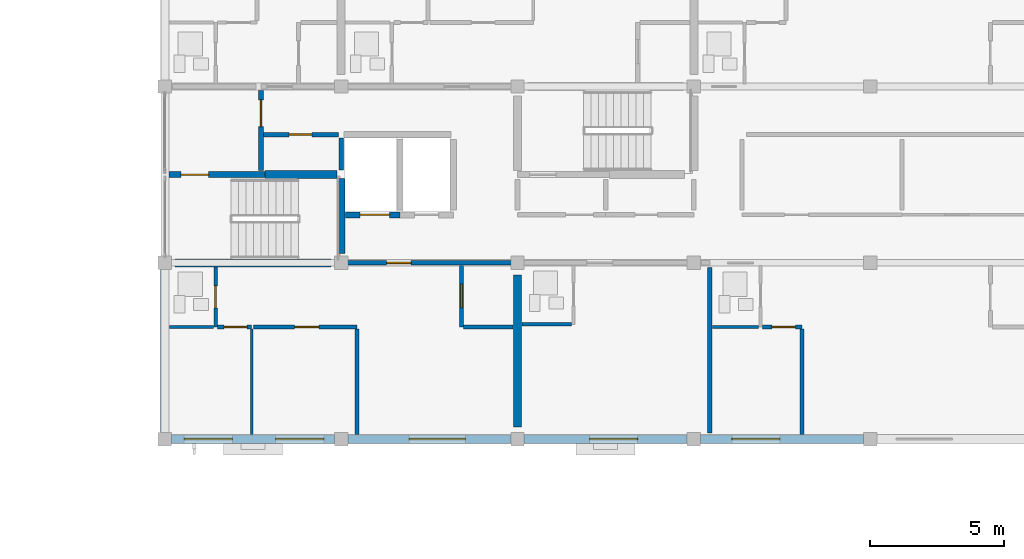
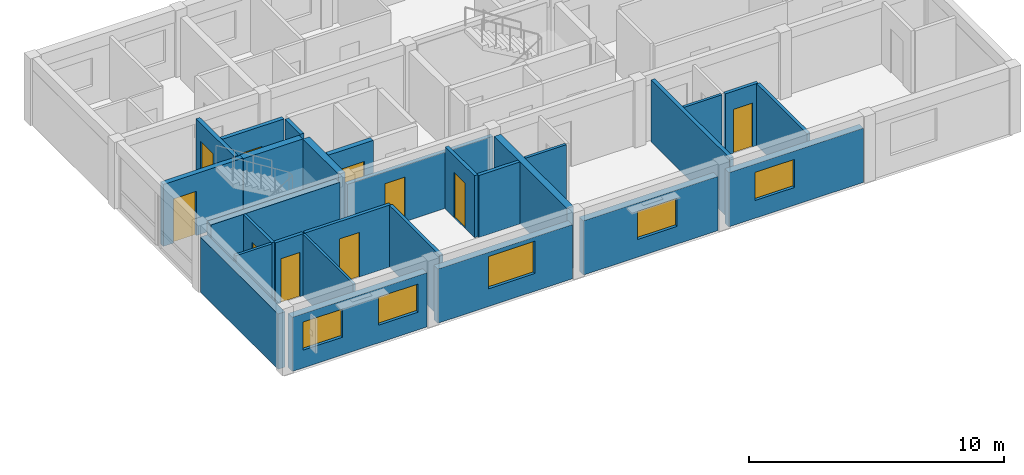
# One storey, part 37 of 53: 28 walls, 10 doors, 5 windows, 15 openings.
"""IFC4 building model written with IfcOpenShell, lengths in metres."""

from ifc_helpers import new_model, si_unit, direction, frame, frame_2d, origin, place, context, subcontext, project, spatial, rectangle, extrude, material, layer, layer_set, type_object, element, fill, save


model = new_model("IFC4")

# Units and contexts
model_context = context("Model", 3, precision=1e-05, world=origin(), true_north=direction((0.0, 1.0)))
body_context = subcontext(model_context, "Body", "Model", "MODEL_VIEW")
ifc_project = project(units=[si_unit("LENGTHUNIT", "METRE"), si_unit("AREAUNIT", "SQUARE_METRE"), si_unit("VOLUMEUNIT", "CUBIC_METRE"), si_unit("PLANEANGLEUNIT", "RADIAN"), si_unit("MASSUNIT", "GRAM", prefix="KILO")], contexts=[model_context])

# Site, building, storey
site_placement = place(None, origin())
site = spatial("IfcSite", under=ifc_project, at=site_placement, CompositionType="ELEMENT")
building_placement = place(site_placement, origin())
building = spatial("IfcBuilding", under=site, at=building_placement, Name="Kernevlak Ridge Housing Community", CompositionType="ELEMENT")
storey_placement = place(building_placement, frame((0.0, 0.0, 24.39990234375)))
storey = spatial("IfcBuildingStorey", under=building, at=storey_placement, Name="L07", CompositionType="ELEMENT", Elevation=24.39990234375)

# Wall, openings, windows
ifc_material_1 = material(Name="Concrete block masonry M10", Category="masonry")
ifc_layer_1 = layer(ifc_material_1, 0.320068359375, Name="Concrete block masonry M10")
ifc_layer_set_1 = layer_set([ifc_layer_1], Name="Concrete block masonry M10")
wall_type_1 = type_object("IfcWallType", Name="EW-02", PredefinedType="STANDARD", material=ifc_layer_set_1)
wall_1_placement = place(storey_placement, frame((119.64990234375, 82.60009765625, 0.0), z_axis=(0.0, 0.0, 1.0), x_axis=(1.0, 0.0, 0.0)))
wall_1 = element("IfcWall", 1, at=wall_1_placement, inside=storey, type_object=wall_type_1, Name="Exterior wall EW-02 L07 403", PredefinedType="STANDARD", context=body_context, shape_type="SweptSolid", body=[
    extrude(rectangle(XDim=6.10009765625, YDim=0.320068359375, at=frame_2d((3.050048828125, 0.0))), origin(), (0.0, 0.0, 1.0), 2.60009765625),
])
opening_1_placement = place(wall_1_placement, frame((0.47509765625, 0.0, 0.85009765625)))
opening_1 = element("IfcOpeningElement", 2, at=opening_1_placement, cuts=wall_1, Name="Opening WT-03", PredefinedType="OPENING", context=body_context, shape_type="SweptSolid", body=[
    extrude(rectangle(XDim=1.800048828125, YDim=1.35009765625, at=frame_2d((0.89990234375, 0.675048828125))), frame((0.0, 0.169921875, 0.0), z_axis=(0.0, -1.0, 0.0), x_axis=(1.0, 0.0, 0.0)), (0.0, 0.0, 1.0), 0.340087890625),
])
opening_2_placement = place(wall_1_placement, frame((3.89990234375, 0.0, 0.85009765625)))
opening_2 = element("IfcOpeningElement", 3, at=opening_2_placement, cuts=wall_1, Name="Opening WT-03", PredefinedType="OPENING", context=body_context, shape_type="SweptSolid", body=[
    extrude(rectangle(XDim=1.800048828125, YDim=1.35009765625, at=frame_2d((0.89990234375, 0.675048828125))), frame((0.0, 0.169921875, 0.0), z_axis=(0.0, -1.0, 0.0), x_axis=(1.0, 0.0, 0.0)), (0.0, 0.0, 1.0), 0.340087890625),
])
ifc_material_2 = material(Name="Aluminium EN AW-6060 anodised and laminated glass", Category="aluminium")
window_type_1 = type_object("IfcWindowType", Name="WT-03", PartitioningType="SINGLE_PANEL", PredefinedType="WINDOW", material=ifc_material_2)
window_1_placement = place(opening_1_placement, origin())
window_1 = element("IfcWindow", 4, at=window_1_placement, inside=storey, type_object=window_type_1, Name="Window WT-03 L07 309", OverallHeight=1.35009765625, OverallWidth=1.800048828125, PartitioningType="SINGLE_PANEL", PredefinedType="WINDOW", context=body_context, shape_type="SweptSolid", body=[
    extrude(rectangle(XDim=1.800048828125, YDim=1.35009765625, at=frame_2d((0.89990234375, 0.675048828125))), frame((0.0, 0.030029296875, 0.0), z_axis=(0.0, -1.0, 0.0), x_axis=(1.0, 0.0, 0.0)), (0.0, 0.0, 1.0), 0.06005859375),
])
fill(opening_1, window_1)
window_2_placement = place(opening_2_placement, origin())
window_2 = element("IfcWindow", 5, at=window_2_placement, inside=storey, type_object=window_type_1, Name="Window WT-03 L07 310", OverallHeight=1.35009765625, OverallWidth=1.800048828125, PartitioningType="SINGLE_PANEL", PredefinedType="WINDOW", context=body_context, shape_type="SweptSolid", body=[
    extrude(rectangle(XDim=1.800048828125, YDim=1.35009765625, at=frame_2d((0.89990234375, 0.675048828125))), frame((0.0, 0.030029296875, 0.0), z_axis=(0.0, -1.0, 0.0), x_axis=(1.0, 0.0, 0.0)), (0.0, 0.0, 1.0), 0.06005859375),
])
fill(opening_2, window_2)

# Wall, opening, window
wall_2_placement = place(storey_placement, frame((126.25, 82.60009765625, 0.0), z_axis=(0.0, 0.0, 1.0), x_axis=(1.0, 0.0, 0.0)))
wall_2 = element("IfcWall", 6, at=wall_2_placement, inside=storey, type_object=wall_type_1, Name="Exterior wall EW-02 L07 404", PredefinedType="STANDARD", context=body_context, shape_type="SweptSolid", body=[
    extrude(rectangle(XDim=6.10009765625, YDim=0.320068359375, at=frame_2d((3.050048828125, 0.0))), origin(), (0.0, 0.0, 1.0), 2.60009765625),
])
opening_3_placement = place(wall_2_placement, frame((2.2958984375, 0.0, 0.85009765625)))
opening_3 = element("IfcOpeningElement", 7, at=opening_3_placement, cuts=wall_2, Name="Opening WT-05", PredefinedType="OPENING", context=body_context, shape_type="SweptSolid", body=[
    extrude(rectangle(XDim=2.10009765625, YDim=1.550048828125, at=frame_2d((1.050048828125, 0.77490234375))), frame((0.0, 0.169921875, 0.0), z_axis=(0.0, -1.0, 0.0), x_axis=(1.0, 0.0, 0.0)), (0.0, 0.0, 1.0), 0.340087890625),
])
window_type_2 = type_object("IfcWindowType", Name="WT-05", PartitioningType="SINGLE_PANEL", PredefinedType="WINDOW", material=ifc_material_2)
window_3_placement = place(opening_3_placement, origin())
window_3 = element("IfcWindow", 8, at=window_3_placement, inside=storey, type_object=window_type_2, Name="Window WT-05 L07 311", OverallHeight=1.550048828125, OverallWidth=2.10009765625, PartitioningType="SINGLE_PANEL", PredefinedType="WINDOW", context=body_context, shape_type="SweptSolid", body=[
    extrude(rectangle(XDim=2.10009765625, YDim=1.550048828125, at=frame_2d((1.050048828125, 0.77490234375))), frame((0.0, 0.030029296875, 0.0), z_axis=(0.0, -1.0, 0.0), x_axis=(1.0, 0.0, 0.0)), (0.0, 0.0, 1.0), 0.06005859375),
])
fill(opening_3, window_3)

wall_3_placement = place(storey_placement, frame((132.85009765625, 82.60009765625, 0.0), z_axis=(0.0, 0.0, 1.0), x_axis=(1.0, 0.0, 0.0)))
wall_3 = element("IfcWall", 9, at=wall_3_placement, inside=storey, type_object=wall_type_1, Name="Exterior wall EW-02 L07 405", PredefinedType="STANDARD", context=body_context, shape_type="SweptSolid", body=[
    extrude(rectangle(XDim=6.099853515625, YDim=0.320068359375, at=frame_2d((3.0498046875, 0.0))), origin(), (0.0, 0.0, 1.0), 2.60009765625),
])
opening_4_placement = place(wall_3_placement, frame((2.449951171875, 0.0, 0.85009765625)))
opening_4 = element("IfcOpeningElement", 10, at=opening_4_placement, cuts=wall_3, Name="Opening WT-03", PredefinedType="OPENING", context=body_context, shape_type="SweptSolid", body=[
    extrude(rectangle(XDim=1.800048828125, YDim=1.35009765625, at=frame_2d((0.89990234375, 0.675048828125))), frame((0.0, 0.169921875, 0.0), z_axis=(0.0, -1.0, 0.0), x_axis=(1.0, 0.0, 0.0)), (0.0, 0.0, 1.0), 0.340087890625),
])
window_4_placement = place(opening_4_placement, origin())
window_4 = element("IfcWindow", 11, at=window_4_placement, inside=storey, type_object=window_type_1, Name="Window WT-03 L07 312", OverallHeight=1.35009765625, OverallWidth=1.800048828125, PartitioningType="SINGLE_PANEL", PredefinedType="WINDOW", context=body_context, shape_type="SweptSolid", body=[
    extrude(rectangle(XDim=1.800048828125, YDim=1.35009765625, at=frame_2d((0.89990234375, 0.675048828125))), frame((0.0, 0.030029296875, 0.0), z_axis=(0.0, -1.0, 0.0), x_axis=(1.0, 0.0, 0.0)), (0.0, 0.0, 1.0), 0.06005859375),
])
fill(opening_4, window_4)

wall_4_placement = place(storey_placement, frame((139.449951171875, 82.60009765625, 0.0), z_axis=(0.0, 0.0, 1.0), x_axis=(1.0, 0.0, 0.0)))
wall_4 = element("IfcWall", 12, at=wall_4_placement, inside=storey, type_object=wall_type_1, Name="Exterior wall EW-02 L07 406", PredefinedType="STANDARD", context=body_context, shape_type="SweptSolid", body=[
    extrude(rectangle(XDim=6.10009765625, YDim=0.320068359375, at=frame_2d((3.050048828125, 0.0))), origin(), (0.0, 0.0, 1.0), 2.60009765625),
])
opening_5_placement = place(wall_4_placement, frame((1.175048828125, 0.0, 0.85009765625)))
opening_5 = element("IfcOpeningElement", 13, at=opening_5_placement, cuts=wall_4, Name="Opening WT-03", PredefinedType="OPENING", context=body_context, shape_type="SweptSolid", body=[
    extrude(rectangle(XDim=1.800048828125, YDim=1.35009765625, at=frame_2d((0.89990234375, 0.675048828125))), frame((0.0, 0.169921875, 0.0), z_axis=(0.0, -1.0, 0.0), x_axis=(1.0, 0.0, 0.0)), (0.0, 0.0, 1.0), 0.340087890625),
])
window_5_placement = place(opening_5_placement, origin())
window_5 = element("IfcWindow", 14, at=window_5_placement, inside=storey, type_object=window_type_1, Name="Window WT-03 L07 313", OverallHeight=1.35009765625, OverallWidth=1.800048828125, PartitioningType="SINGLE_PANEL", PredefinedType="WINDOW", context=body_context, shape_type="SweptSolid", body=[
    extrude(rectangle(XDim=1.800048828125, YDim=1.35009765625, at=frame_2d((0.89990234375, 0.675048828125))), frame((0.0, 0.030029296875, 0.0), z_axis=(0.0, -1.0, 0.0), x_axis=(1.0, 0.0, 0.0)), (0.0, 0.0, 1.0), 0.06005859375),
])
fill(opening_5, window_5)

# Wall
wall_5_placement = place(storey_placement, frame((119.39990234375, 82.85009765625, 0.0), z_axis=(0.0, 0.0, 1.0), x_axis=(0.0, 1.0, 0.0)))
element("IfcWall", 15, at=wall_5_placement, inside=storey, type_object=wall_type_1, Name="Exterior wall EW-02 L07 415", PredefinedType="STANDARD", context=body_context, shape_type="SweptSolid", body=[
    extrude(rectangle(XDim=6.099853515625, YDim=0.320068359375, at=frame_2d((3.0498046875, 0.0))), origin(), (0.0, 0.0, 1.0), 2.650146484375),
])

# Wall, opening, door
ifc_material_3 = material(Name="Concrete C35/45", Category="concrete")
ifc_layer_2 = layer(ifc_material_3, 0.22509765625, Name="Concrete C35/45")
ifc_layer_set_2 = layer_set([ifc_layer_2], Name="Concrete C35/45")
wall_type_2 = type_object("IfcWallType", Name="PW-01", PredefinedType="STANDARD", material=ifc_layer_set_2)
wall_6_placement = place(storey_placement, frame((119.550048828125, 92.5, 0.0), z_axis=(0.0, 0.0, 1.0), x_axis=(1.0, 0.0, 0.0)))
wall_6 = element("IfcWall", 16, at=wall_6_placement, inside=storey, type_object=wall_type_2, Name="Interior wall PW-01 WAL-INT-L07-1574", PredefinedType="STANDARD", context=body_context, shape_type="SweptSolid", body=[
    extrude(rectangle(XDim=3.599853515625, YDim=0.22509765625, at=frame_2d((1.7998046875, 0.0))), origin(), (0.0, 0.0, 1.0), 2.97021484375),
])
opening_6_placement = place(wall_6_placement, frame((0.449951171875, 0.0, 0.0)))
opening_6 = element("IfcOpeningElement", 17, at=opening_6_placement, cuts=wall_6, Name="Opening D798", PredefinedType="OPENING", context=body_context, shape_type="SweptSolid", body=[
    extrude(rectangle(XDim=1.0400390625, YDim=2.1201171875, at=frame_2d((0.52001953125, 1.06005859375))), frame((0.0, 0.12255859375, 0.0), z_axis=(0.0, -1.0, 0.0), x_axis=(1.0, 0.0, 0.0)), (0.0, 0.0, 1.0), 0.2451171875),
])
ifc_material_4 = material(Name="Fire-rated sheet steel leaf", Category="steel")
door_type_1 = type_object("IfcDoorType", Name="DT-16", OperationType="NOTDEFINED", PredefinedType="DOOR", material=ifc_material_4)
door_1_placement = place(opening_6_placement, origin())
door_1 = element("IfcDoor", 18, at=door_1_placement, inside=storey, type_object=door_type_1, Name="Block B Stair 1 fire door D798", OperationType="SINGLE_SWING_RIGHT", OverallHeight=2.1201171875, OverallWidth=1.0400390625, PredefinedType="DOOR", context=body_context, shape_type="SweptSolid", body=[
    extrude(rectangle(XDim=1.0400390625, YDim=2.1201171875, at=frame_2d((0.52001953125, 1.06005859375))), frame((0.0, 0.02490234375, 0.0), z_axis=(0.0, -1.0, 0.0), x_axis=(1.0, 0.0, 0.0)), (0.0, 0.0, 1.0), 0.050048828125),
])
fill(opening_6, door_1)

wall_7_placement = place(storey_placement, frame((126.159912109375, 91.0, 0.0), z_axis=(0.0, 0.0, 1.0), x_axis=(1.0, 0.0, 0.0)))
wall_7 = element("IfcWall", 19, at=wall_7_placement, inside=storey, type_object=wall_type_2, Name="Interior wall PW-01 WAL-INT-L07-1578", PredefinedType="STANDARD", context=body_context, shape_type="SweptSolid", body=[
    extrude(rectangle(XDim=2.0400390625, YDim=0.22509765625, at=frame_2d((1.02001953125, 0.0))), origin(), (0.0, 0.0, 1.0), 2.97021484375),
])
opening_7_placement = place(wall_7_placement, frame((0.550048828125, 0.0, 0.0)))
opening_7 = element("IfcOpeningElement", 20, at=opening_7_placement, cuts=wall_7, Name="Opening LD44", PredefinedType="OPENING", context=body_context, shape_type="SweptSolid", body=[
    extrude(rectangle(XDim=1.10009765625, YDim=2.10009765625, at=frame_2d((0.550048828125, 1.050048828125))), frame((0.0, 0.12255859375, 0.0), z_axis=(0.0, -1.0, 0.0), x_axis=(1.0, 0.0, 0.0)), (0.0, 0.0, 1.0), 0.2451171875),
])
ifc_material_5 = material(Name="Stainless steel EN 1.4401", Category="steel")
door_type_2 = type_object("IfcDoorType", Name="DT-LD1", OperationType="DOUBLE_DOOR_SLIDING", PredefinedType="DOOR", material=ifc_material_5)
door_2_placement = place(opening_7_placement, origin())
door_2 = element("IfcDoor", 21, at=door_2_placement, inside=storey, type_object=door_type_2, Name="Lift LF-B1 landing door LD44", OperationType="DOUBLE_DOOR_SLIDING", OverallHeight=2.10009765625, OverallWidth=1.10009765625, PredefinedType="DOOR", context=body_context, shape_type="SweptSolid", body=[
    extrude(rectangle(XDim=1.10009765625, YDim=2.10009765625, at=frame_2d((0.550048828125, 1.050048828125))), frame((0.0, 0.02490234375, 0.0), z_axis=(0.0, -1.0, 0.0), x_axis=(1.0, 0.0, 0.0)), (0.0, 0.0, 1.0), 0.050048828125),
])
fill(opening_7, door_2)

ifc_layer_3 = layer(ifc_material_1, 0.175048828125, Name="Concrete block masonry M10")
ifc_layer_set_3 = layer_set([ifc_layer_3], Name="Concrete block masonry M10")
wall_type_3 = type_object("IfcWallType", Name="PW-02", PredefinedType="PARTITIONING", material=ifc_layer_set_3)
wall_8_placement = place(storey_placement, frame((123.0, 92.64990234375, 0.0), z_axis=(0.0, 0.0, 1.0), x_axis=(0.0, 1.0, 0.0)))
wall_8 = element("IfcWall", 22, at=wall_8_placement, inside=storey, type_object=wall_type_3, Name="Interior wall PW-02 WAL-INT-L07-1575", PredefinedType="PARTITIONING", context=body_context, shape_type="SweptSolid", body=[
    extrude(rectangle(XDim=3.0, YDim=0.175048828125, at=frame_2d((1.5, 0.0))), origin(), (0.0, 0.0, 1.0), 2.97021484375),
])
opening_8_placement = place(wall_8_placement, frame((1.64990234375, 0.0, 0.0)))
opening_8 = element("IfcOpeningElement", 23, at=opening_8_placement, cuts=wall_8, Name="Opening D799", PredefinedType="OPENING", context=body_context, shape_type="SweptSolid", body=[
    extrude(rectangle(XDim=1.0, YDim=2.10009765625, at=frame_2d((0.5, 1.050048828125))), frame((0.0, 0.097412109375, 0.0), z_axis=(0.0, -1.0, 0.0), x_axis=(1.0, 0.0, 0.0)), (0.0, 0.0, 1.0), 0.195068359375),
])
door_type_3 = type_object("IfcDoorType", Name="DT-05", OperationType="NOTDEFINED", PredefinedType="DOOR", material=ifc_material_4)
door_3_placement = place(opening_8_placement, origin())
door_3 = element("IfcDoor", 24, at=door_3_placement, inside=storey, type_object=door_type_3, Name="Block B Firefighting lobby 1 door D799", OperationType="SINGLE_SWING_LEFT", OverallHeight=2.10009765625, OverallWidth=1.0, PredefinedType="DOOR", context=body_context, shape_type="SweptSolid", body=[
    extrude(rectangle(XDim=1.0, YDim=2.10009765625, at=frame_2d((0.5, 1.050048828125))), frame((0.0, 0.02490234375, 0.0), z_axis=(0.0, -1.0, 0.0), x_axis=(1.0, 0.0, 0.0)), (0.0, 0.0, 1.0), 0.050048828125),
])
fill(opening_8, door_3)

wall_9_placement = place(storey_placement, frame((123.10009765625, 94.0, 0.0), z_axis=(0.0, 0.0, 1.0), x_axis=(1.0, 0.0, 0.0)))
wall_9 = element("IfcWall", 25, at=wall_9_placement, inside=storey, type_object=wall_type_3, Name="Interior wall PW-02 WAL-INT-L07-1576", PredefinedType="PARTITIONING", context=body_context, shape_type="SweptSolid", body=[
    extrude(rectangle(XDim=2.7998046875, YDim=0.175048828125, at=frame_2d((1.39990234375, 0.0))), origin(), (0.0, 0.0, 1.0), 2.97021484375),
])
opening_9_placement = place(wall_9_placement, frame((0.949951171875, 0.0, 0.0)))
opening_9 = element("IfcOpeningElement", 26, at=opening_9_placement, cuts=wall_9, Name="Opening D800", PredefinedType="OPENING", context=body_context, shape_type="SweptSolid", body=[
    extrude(rectangle(XDim=0.85009765625, YDim=2.0, at=frame_2d((0.425048828125, 1.0))), frame((0.0, 0.097412109375, 0.0), z_axis=(0.0, -1.0, 0.0), x_axis=(1.0, 0.0, 0.0)), (0.0, 0.0, 1.0), 0.195068359375),
])
door_type_4 = type_object("IfcDoorType", Name="DT-07", OperationType="NOTDEFINED", PredefinedType="DOOR", material=ifc_material_4)
door_4_placement = place(opening_9_placement, origin())
door_4 = element("IfcDoor", 27, at=door_4_placement, inside=storey, type_object=door_type_4, Name="Block B Riser shaft door D800", OperationType="SINGLE_SWING_RIGHT", OverallHeight=2.0, OverallWidth=0.85009765625, PredefinedType="DOOR", context=body_context, shape_type="SweptSolid", body=[
    extrude(rectangle(XDim=0.85009765625, YDim=2.0, at=frame_2d((0.425048828125, 1.0))), frame((0.0, 0.02490234375, 0.0), z_axis=(0.0, -1.0, 0.0), x_axis=(1.0, 0.0, 0.0)), (0.0, 0.0, 1.0), 0.050048828125),
])
fill(opening_9, door_4)

# Wall
wall_10_placement = place(storey_placement, frame((126.0, 92.679931640625, 0.0), z_axis=(0.0, 0.0, 1.0), x_axis=(0.0, 1.0, 0.0)))
element("IfcWall", 28, at=wall_10_placement, inside=storey, type_object=wall_type_3, Name="Interior wall PW-02 WAL-INT-L07-1577", PredefinedType="PARTITIONING", context=body_context, shape_type="SweptSolid", body=[
    extrude(rectangle(XDim=1.190185546875, YDim=0.175048828125, at=frame_2d((0.59521484375, 0.0))), origin(), (0.0, 0.0, 1.0), 2.97021484375),
])

# Wall, opening, door
wall_11_placement = place(storey_placement, frame((126.0, 89.199951171875, 0.0), z_axis=(0.0, 0.0, 1.0), x_axis=(1.0, 0.0, 0.0)))
wall_11 = element("IfcWall", 29, at=wall_11_placement, inside=storey, type_object=wall_type_3, Name="Interior wall PW-02 WAL-INT-L07-1595", PredefinedType="PARTITIONING", context=body_context, shape_type="SweptSolid", body=[
    extrude(rectangle(XDim=6.60009765625, YDim=0.175048828125, at=frame_2d((3.300048828125, 0.0))), origin(), (0.0, 0.0, 1.0), 2.7001953125),
])
opening_10_placement = place(wall_11_placement, frame((1.699951171875, 0.0, 0.0)))
opening_10 = element("IfcOpeningElement", 30, at=opening_10_placement, cuts=wall_11, Name="Opening D806", PredefinedType="OPENING", context=body_context, shape_type="SweptSolid", body=[
    extrude(rectangle(XDim=0.919921875, YDim=2.139892578125, at=frame_2d((0.4599609375, 1.06982421875))), frame((0.0, 0.097412109375, 0.0), z_axis=(0.0, -1.0, 0.0), x_axis=(1.0, 0.0, 0.0)), (0.0, 0.0, 1.0), 0.195068359375),
])
ifc_material_6 = material(Name="Hardwood timber solid-core fire leaf", Category="wood")
door_type_5 = type_object("IfcDoorType", Name="DT-20", OperationType="NOTDEFINED", PredefinedType="DOOR", material=ifc_material_6)
door_5_placement = place(opening_10_placement, origin())
door_5 = element("IfcDoor", 31, at=door_5_placement, inside=storey, type_object=door_type_5, Name="Flat B0711 entrance fire door D806", OperationType="SINGLE_SWING_RIGHT", OverallHeight=2.139892578125, OverallWidth=0.919921875, PredefinedType="DOOR", context=body_context, shape_type="SweptSolid", body=[
    extrude(rectangle(XDim=0.919921875, YDim=2.139892578125, at=frame_2d((0.4599609375, 1.06982421875))), frame((0.0, 0.02490234375, 0.0), z_axis=(0.0, -1.0, 0.0), x_axis=(1.0, 0.0, 0.0)), (0.0, 0.0, 1.0), 0.050048828125),
])
fill(opening_10, door_5)

# Wall
wall_12_placement = place(storey_placement, frame((139.800048828125, 89.02001953125, 0.0), z_axis=(0.0, 0.0, 1.0), x_axis=(0.0, -1.0, 0.0)))
element("IfcWall", 32, at=wall_12_placement, inside=storey, type_object=wall_type_3, Name="Interior wall PW-02 WAL-INT-L07-1607", PredefinedType="PARTITIONING", context=body_context, shape_type="SweptSolid", body=[
    extrude(rectangle(XDim=6.18994140625, YDim=0.175048828125, at=frame_2d((3.094970703125, 0.0))), origin(), (0.0, 0.0, 1.0), 2.97021484375),
])

# Wall, opening, door
ifc_layer_4 = layer(ifc_material_1, 0.14501953125, Name="Concrete block masonry M10")
ifc_layer_set_4 = layer_set([ifc_layer_4], Name="Concrete block masonry M10")
wall_type_4 = type_object("IfcWallType", Name="PW-03", PredefinedType="PARTITIONING", material=ifc_layer_set_4)
wall_13_placement = place(storey_placement, frame((121.37255859375, 86.800048828125, 0.0), z_axis=(0.0, 0.0, 1.0), x_axis=(1.0, 0.0, 0.0)))
wall_13 = element("IfcWall", 33, at=wall_13_placement, inside=storey, type_object=wall_type_4, Name="Interior wall PW-03 WAL-INT-L07-1600", PredefinedType="PARTITIONING", context=body_context, shape_type="SweptSolid", body=[
    extrude(rectangle(XDim=1.27734375, YDim=0.14501953125, at=frame_2d((0.638671875, 0.0))), origin(), (0.0, 0.0, 1.0), 2.97021484375),
])
opening_11_placement = place(wall_13_placement, frame((0.24755859375, 0.0, 0.0)))
opening_11 = element("IfcOpeningElement", 34, at=opening_11_placement, cuts=wall_13, Name="Opening D809", PredefinedType="OPENING", context=body_context, shape_type="SweptSolid", body=[
    extrude(rectangle(XDim=0.860107421875, YDim=2.1201171875, at=frame_2d((0.43017578125, 1.06005859375))), frame((0.0, 0.08251953125, 0.0), z_axis=(0.0, -1.0, 0.0), x_axis=(1.0, 0.0, 0.0)), (0.0, 0.0, 1.0), 0.1650390625),
])
ifc_material_7 = material(Name="Hardwood timber leaf", Category="wood")
door_type_6 = type_object("IfcDoorType", Name="DT-28", OperationType="NOTDEFINED", PredefinedType="DOOR", material=ifc_material_7)
door_6_placement = place(opening_11_placement, origin())
door_6 = element("IfcDoor", 35, at=door_6_placement, inside=storey, type_object=door_type_6, Name="Flat B0711 bedroom door D809", OperationType="SINGLE_SWING_LEFT", OverallHeight=2.1201171875, OverallWidth=0.860107421875, PredefinedType="DOOR", context=body_context, shape_type="SweptSolid", body=[
    extrude(rectangle(XDim=0.860107421875, YDim=2.1201171875, at=frame_2d((0.43017578125, 1.06005859375))), frame((0.0, 0.02490234375, 0.0), z_axis=(0.0, -1.0, 0.0), x_axis=(1.0, 0.0, 0.0)), (0.0, 0.0, 1.0), 0.050048828125),
])
fill(opening_11, door_6)

wall_14_placement = place(storey_placement, frame((122.71240234375, 86.800048828125, 0.0), z_axis=(0.0, 0.0, 1.0), x_axis=(1.0, 0.0, 0.0)))
wall_14 = element("IfcWall", 36, at=wall_14_placement, inside=storey, type_object=wall_type_4, Name="Interior wall PW-03 WAL-INT-L07-1602", PredefinedType="PARTITIONING", context=body_context, shape_type="SweptSolid", body=[
    extrude(rectangle(XDim=3.879638671875, YDim=0.14501953125, at=frame_2d((1.93994140625, 0.0))), origin(), (0.0, 0.0, 1.0), 2.97021484375),
])
opening_12_placement = place(wall_14_placement, frame((1.5458984375, 0.0, 0.0)))
opening_12 = element("IfcOpeningElement", 37, at=opening_12_placement, cuts=wall_14, Name="Opening D810", PredefinedType="OPENING", context=body_context, shape_type="SweptSolid", body=[
    extrude(rectangle(XDim=0.909912109375, YDim=2.139892578125, at=frame_2d((0.455078125, 1.06982421875))), frame((0.0, 0.08251953125, 0.0), z_axis=(0.0, -1.0, 0.0), x_axis=(1.0, 0.0, 0.0)), (0.0, 0.0, 1.0), 0.1650390625),
])
door_type_7 = type_object("IfcDoorType", Name="DT-31", OperationType="NOTDEFINED", PredefinedType="DOOR", material=ifc_material_7)
door_7_placement = place(opening_12_placement, origin())
door_7 = element("IfcDoor", 38, at=door_7_placement, inside=storey, type_object=door_type_7, Name="Flat B0711 bedroom door D810", OperationType="SINGLE_SWING_RIGHT", OverallHeight=2.139892578125, OverallWidth=0.909912109375, PredefinedType="DOOR", context=body_context, shape_type="SweptSolid", body=[
    extrude(rectangle(XDim=0.909912109375, YDim=2.139892578125, at=frame_2d((0.455078125, 1.06982421875))), frame((0.0, 0.02490234375, 0.0), z_axis=(0.0, -1.0, 0.0), x_axis=(1.0, 0.0, 0.0)), (0.0, 0.0, 1.0), 0.050048828125),
])
fill(opening_12, door_7)

# Wall
wall_15_placement = place(storey_placement, frame((126.592041015625, 86.717529296875, 0.0), z_axis=(0.0, 0.0, 1.0), x_axis=(0.0, -1.0, 0.0)))
element("IfcWall", 39, at=wall_15_placement, inside=storey, type_object=wall_type_4, Name="Interior wall PW-03 WAL-INT-L07-1603", PredefinedType="PARTITIONING", context=body_context, shape_type="SweptSolid", body=[
    extrude(rectangle(XDim=3.947509765625, YDim=0.14501953125, at=frame_2d((1.9736328125, 0.0))), origin(), (0.0, 0.0, 1.0), 2.97021484375),
])

# Wall, opening, door
wall_16_placement = place(storey_placement, frame((141.7724609375, 86.800048828125, 0.0), z_axis=(0.0, 0.0, 1.0), x_axis=(1.0, 0.0, 0.0)))
wall_16 = element("IfcWall", 40, at=wall_16_placement, inside=storey, type_object=wall_type_4, Name="Interior wall PW-03 WAL-INT-L07-1613", PredefinedType="PARTITIONING", context=body_context, shape_type="SweptSolid", body=[
    extrude(rectangle(XDim=1.4775390625, YDim=0.14501953125, at=frame_2d((0.73876953125, 0.0))), origin(), (0.0, 0.0, 1.0), 2.97021484375),
])
opening_13_placement = place(wall_16_placement, frame((0.35009765625, 0.0, 0.0)))
opening_13 = element("IfcOpeningElement", 41, at=opening_13_placement, cuts=wall_16, Name="Opening D816", PredefinedType="OPENING", context=body_context, shape_type="SweptSolid", body=[
    extrude(rectangle(XDim=0.8798828125, YDim=2.10009765625, at=frame_2d((0.43994140625, 1.050048828125))), frame((0.0, 0.08251953125, 0.0), z_axis=(0.0, -1.0, 0.0), x_axis=(1.0, 0.0, 0.0)), (0.0, 0.0, 1.0), 0.1650390625),
])
door_type_8 = type_object("IfcDoorType", Name="DT-25", OperationType="NOTDEFINED", PredefinedType="DOOR", material=ifc_material_7)
door_8_placement = place(opening_13_placement, origin())
door_8 = element("IfcDoor", 42, at=door_8_placement, inside=storey, type_object=door_type_8, Name="Flat B0713 bedroom door D816", OperationType="SINGLE_SWING_RIGHT", OverallHeight=2.10009765625, OverallWidth=0.8798828125, PredefinedType="DOOR", context=body_context, shape_type="SweptSolid", body=[
    extrude(rectangle(XDim=0.8798828125, YDim=2.10009765625, at=frame_2d((0.43994140625, 1.050048828125))), frame((0.0, 0.02490234375, 0.0), z_axis=(0.0, -1.0, 0.0), x_axis=(1.0, 0.0, 0.0)), (0.0, 0.0, 1.0), 0.050048828125),
])
fill(opening_13, door_8)

# Wall
wall_17_placement = place(storey_placement, frame((143.25, 86.717529296875, 0.0), z_axis=(0.0, 0.0, 1.0), x_axis=(0.0, -1.0, 0.0)))
element("IfcWall", 43, at=wall_17_placement, inside=storey, type_object=wall_type_4, Name="Interior wall PW-03 WAL-INT-L07-1614", PredefinedType="PARTITIONING", context=body_context, shape_type="SweptSolid", body=[
    extrude(rectangle(XDim=3.947509765625, YDim=0.14501953125, at=frame_2d((1.9736328125, 0.0))), origin(), (0.0, 0.0, 1.0), 2.97021484375),
])

# Wall, opening, door
ifc_material_8 = material(Name="Gypsum plasterboard EN 520", Category="gypsum")
ifc_layer_5 = layer(ifc_material_8, 0.125, Name="Gypsum plasterboard EN 520")
ifc_layer_set_5 = layer_set([ifc_layer_5], Name="Gypsum plasterboard EN 520")
wall_type_5 = type_object("IfcWallType", Name="PW-04", PredefinedType="PARTITIONING", material=ifc_layer_set_5)
wall_18_placement = place(storey_placement, frame((121.300048828125, 89.0400390625, 0.0), z_axis=(0.0, 0.0, 1.0), x_axis=(0.0, -1.0, 0.0)))
wall_18 = element("IfcWall", 44, at=wall_18_placement, inside=storey, type_object=wall_type_5, Name="Interior wall PW-04 WAL-INT-L07-1596", PredefinedType="PARTITIONING", context=body_context, shape_type="SweptSolid", body=[
    extrude(rectangle(XDim=2.239990234375, YDim=0.125, at=frame_2d((1.1201171875, 0.0))), origin(), (0.0, 0.0, 1.0), 2.97021484375),
])
opening_14_placement = place(wall_18_placement, frame((0.699951171875, 0.0, 0.0)))
opening_14 = element("IfcOpeningElement", 45, at=opening_14_placement, cuts=wall_18, Name="Opening D807", PredefinedType="OPENING", context=body_context, shape_type="SweptSolid", body=[
    extrude(rectangle(XDim=0.820068359375, YDim=2.050048828125, at=frame_2d((0.41015625, 1.02490234375))), frame((0.0, 0.072509765625, 0.0), z_axis=(0.0, -1.0, 0.0), x_axis=(1.0, 0.0, 0.0)), (0.0, 0.0, 1.0), 0.14501953125),
])
ifc_material_9 = material(Name="Hardwood timber moisture-resistant leaf", Category="wood")
door_type_9 = type_object("IfcDoorType", Name="DT-30", OperationType="NOTDEFINED", PredefinedType="DOOR", material=ifc_material_9)
door_9_placement = place(opening_14_placement, origin())
door_9 = element("IfcDoor", 46, at=door_9_placement, inside=storey, type_object=door_type_9, Name="Flat B0711 bathroom door D807", OperationType="SINGLE_SWING_LEFT", OverallHeight=2.050048828125, OverallWidth=0.820068359375, PredefinedType="DOOR", context=body_context, shape_type="SweptSolid", body=[
    extrude(rectangle(XDim=0.820068359375, YDim=2.050048828125, at=frame_2d((0.41015625, 1.02490234375))), frame((0.0, 0.02490234375, 0.0), z_axis=(0.0, -1.0, 0.0), x_axis=(1.0, 0.0, 0.0)), (0.0, 0.0, 1.0), 0.050048828125),
])
fill(opening_14, door_9)

# Walls
wall_19_placement = place(storey_placement, frame((119.570068359375, 86.800048828125, 0.0), z_axis=(0.0, 0.0, 1.0), x_axis=(1.0, 0.0, 0.0)))
element("IfcWall", 47, at=wall_19_placement, inside=storey, type_object=wall_type_5, Name="Interior wall PW-04 WAL-INT-L07-1597", PredefinedType="PARTITIONING", context=body_context, shape_type="SweptSolid", body=[
    extrude(rectangle(XDim=1.64990234375, YDim=0.125, at=frame_2d((0.824951171875, 0.0))), origin(), (0.0, 0.0, 1.0), 2.97021484375),
])
wall_20_placement = place(storey_placement, frame((132.760009765625, 86.89990234375, 0.0), z_axis=(0.0, 0.0, 1.0), x_axis=(1.0, 0.0, 0.0)))
element("IfcWall", 48, at=wall_20_placement, inside=storey, type_object=wall_type_5, Name="Interior wall PW-04 WAL-INT-L07-1606", PredefinedType="PARTITIONING", context=body_context, shape_type="SweptSolid", body=[
    extrude(rectangle(XDim=1.860107421875, YDim=0.125, at=frame_2d((0.93017578125, 0.0))), origin(), (0.0, 0.0, 1.0), 2.97021484375),
])
wall_21_placement = place(storey_placement, frame((139.8974609375, 86.800048828125, 0.0), z_axis=(0.0, 0.0, 1.0), x_axis=(1.0, 0.0, 0.0)))
element("IfcWall", 49, at=wall_21_placement, inside=storey, type_object=wall_type_5, Name="Interior wall PW-04 WAL-INT-L07-1610", PredefinedType="PARTITIONING", context=body_context, shape_type="SweptSolid", body=[
    extrude(rectangle(XDim=1.72265625, YDim=0.125, at=frame_2d((0.861328125, 0.0))), origin(), (0.0, 0.0, 1.0), 2.97021484375),
])

# Wall, opening, door
ifc_layer_6 = layer(ifc_material_8, 0.155029296875, Name="Gypsum plasterboard EN 520")
ifc_layer_set_6 = layer_set([ifc_layer_6], Name="Gypsum plasterboard EN 520")
wall_type_6 = type_object("IfcWallType", Name="PW-05", PredefinedType="PARTITIONING", material=ifc_layer_set_6)
wall_22_placement = place(storey_placement, frame((130.5, 89.1025390625, 0.0), z_axis=(0.0, 0.0, 1.0), x_axis=(0.0, -1.0, 0.0)))
wall_22 = element("IfcWall", 50, at=wall_22_placement, inside=storey, type_object=wall_type_6, Name="Interior wall PW-05 WAL-INT-L07-1598", PredefinedType="PARTITIONING", context=body_context, shape_type="SweptSolid", body=[
    extrude(rectangle(XDim=2.302490234375, YDim=0.155029296875, at=frame_2d((1.1513671875, 0.0))), origin(), (0.0, 0.0, 1.0), 2.97021484375),
])
opening_15_placement = place(wall_22_placement, frame((0.699951171875, 0.0, 0.0)))
opening_15 = element("IfcOpeningElement", 51, at=opening_15_placement, cuts=wall_22, Name="Opening D808", PredefinedType="OPENING", context=body_context, shape_type="SweptSolid", body=[
    extrude(rectangle(XDim=0.8798828125, YDim=2.159912109375, at=frame_2d((0.43994140625, 1.080078125))), frame((0.0, 0.08740234375, 0.0), z_axis=(0.0, -1.0, 0.0), x_axis=(1.0, 0.0, 0.0)), (0.0, 0.0, 1.0), 0.175048828125),
])
door_type_10 = type_object("IfcDoorType", Name="DT-26", OperationType="NOTDEFINED", PredefinedType="DOOR", material=ifc_material_7)
door_10_placement = place(opening_15_placement, origin())
door_10 = element("IfcDoor", 52, at=door_10_placement, inside=storey, type_object=door_type_10, Name="Flat B0711 kitchen door D808", OperationType="SINGLE_SWING_RIGHT", OverallHeight=2.159912109375, OverallWidth=0.8798828125, PredefinedType="DOOR", context=body_context, shape_type="SweptSolid", body=[
    extrude(rectangle(XDim=0.8798828125, YDim=2.159912109375, at=frame_2d((0.43994140625, 1.080078125))), frame((0.0, 0.02490234375, 0.0), z_axis=(0.0, -1.0, 0.0), x_axis=(1.0, 0.0, 0.0)), (0.0, 0.0, 1.0), 0.050048828125),
])
fill(opening_15, door_10)

# Walls
wall_23_placement = place(storey_placement, frame((130.58740234375, 86.800048828125, 0.0), z_axis=(0.0, 0.0, 1.0), x_axis=(1.0, 0.0, 0.0)))
element("IfcWall", 53, at=wall_23_placement, inside=storey, type_object=wall_type_6, Name="Interior wall PW-05 WAL-INT-L07-1599", PredefinedType="PARTITIONING", context=body_context, shape_type="SweptSolid", body=[
    extrude(rectangle(XDim=1.8525390625, YDim=0.155029296875, at=frame_2d((0.92626953125, 0.0))), origin(), (0.0, 0.0, 1.0), 2.97021484375),
])
ifc_layer_7 = layer(ifc_material_8, 0.10498046875, Name="Gypsum plasterboard EN 520")
ifc_layer_set_7 = layer_set([ifc_layer_7], Name="Gypsum plasterboard EN 520")
wall_type_7 = type_object("IfcWallType", Name="PW-06", PredefinedType="PARTITIONING", material=ifc_layer_set_7)
wall_24_placement = place(storey_placement, frame((122.64990234375, 86.717529296875, 0.0), z_axis=(0.0, 0.0, 1.0), x_axis=(0.0, -1.0, 0.0)))
element("IfcWall", 54, at=wall_24_placement, inside=storey, type_object=wall_type_7, Name="Interior wall PW-06 WAL-INT-L07-1601", PredefinedType="PARTITIONING", context=body_context, shape_type="SweptSolid", body=[
    extrude(rectangle(XDim=3.947509765625, YDim=0.10498046875, at=frame_2d((1.9736328125, 0.0))), origin(), (0.0, 0.0, 1.0), 2.97021484375),
])
ifc_material_10 = material(Name="Concrete C40/50", Category="concrete")
ifc_layer_8 = layer(ifc_material_10, 0.300048828125, Name="Concrete C40/50")
ifc_layer_set_8 = layer_set([ifc_layer_8], Name="Concrete C40/50")
wall_type_8 = type_object("IfcWallType", Name="SW-02", PredefinedType="SHEAR", material=ifc_layer_set_8)
wall_25_placement = place(storey_placement, frame((119.780029296875, 89.199951171875, 0.0), z_axis=(0.0, 0.0, 1.0), x_axis=(1.0, 0.0, 0.0)))
element("IfcWall", 55, at=wall_25_placement, inside=storey, type_object=wall_type_8, Name="Shear wall SW-02 Block B L07 281", PredefinedType="SHEAR", context=body_context, shape_type="SweptSolid", body=[
    extrude(rectangle(XDim=5.840087890625, YDim=0.300048828125, at=frame_2d((2.919921875, 0.0))), origin(), (0.0, 0.0, 1.0), 2.97021484375),
])
wall_26_placement = place(storey_placement, frame((123.14990234375, 92.5, 0.0), z_axis=(0.0, 0.0, 1.0), x_axis=(1.0, 0.0, 0.0)))
element("IfcWall", 56, at=wall_26_placement, inside=storey, type_object=wall_type_8, Name="Shear wall SW-02 Block B L07 282", PredefinedType="SHEAR", context=body_context, shape_type="SweptSolid", body=[
    extrude(rectangle(XDim=2.7001953125, YDim=0.300048828125, at=frame_2d((1.35009765625, 0.0))), origin(), (0.0, 0.0, 1.0), 2.97021484375),
])
wall_27_placement = place(storey_placement, frame((126.0, 89.550048828125, 0.0), z_axis=(0.0, 0.0, 1.0), x_axis=(0.0, 1.0, 0.0)))
element("IfcWall", 57, at=wall_27_placement, inside=storey, type_object=wall_type_8, Name="Shear wall SW-02 Block B L07 283", PredefinedType="SHEAR", context=body_context, shape_type="SweptSolid", body=[
    extrude(rectangle(XDim=2.800048828125, YDim=0.300048828125, at=frame_2d((1.39990234375, 0.0))), origin(), (0.0, 0.0, 1.0), 2.97021484375),
])
wall_28_placement = place(storey_placement, frame((132.60009765625, 83.050048828125, 0.0), z_axis=(0.0, 0.0, 1.0), x_axis=(0.0, 1.0, 0.0)))
element("IfcWall", 58, at=wall_28_placement, inside=storey, type_object=wall_type_8, Name="Shear wall SW-02 Block B L07 288", PredefinedType="SHEAR", context=body_context, shape_type="SweptSolid", body=[
    extrude(rectangle(XDim=5.699951171875, YDim=0.300048828125, at=frame_2d((2.85009765625, 0.0))), origin(), (0.0, 0.0, 1.0), 2.97021484375),
])

save(model, "model.ifc")
